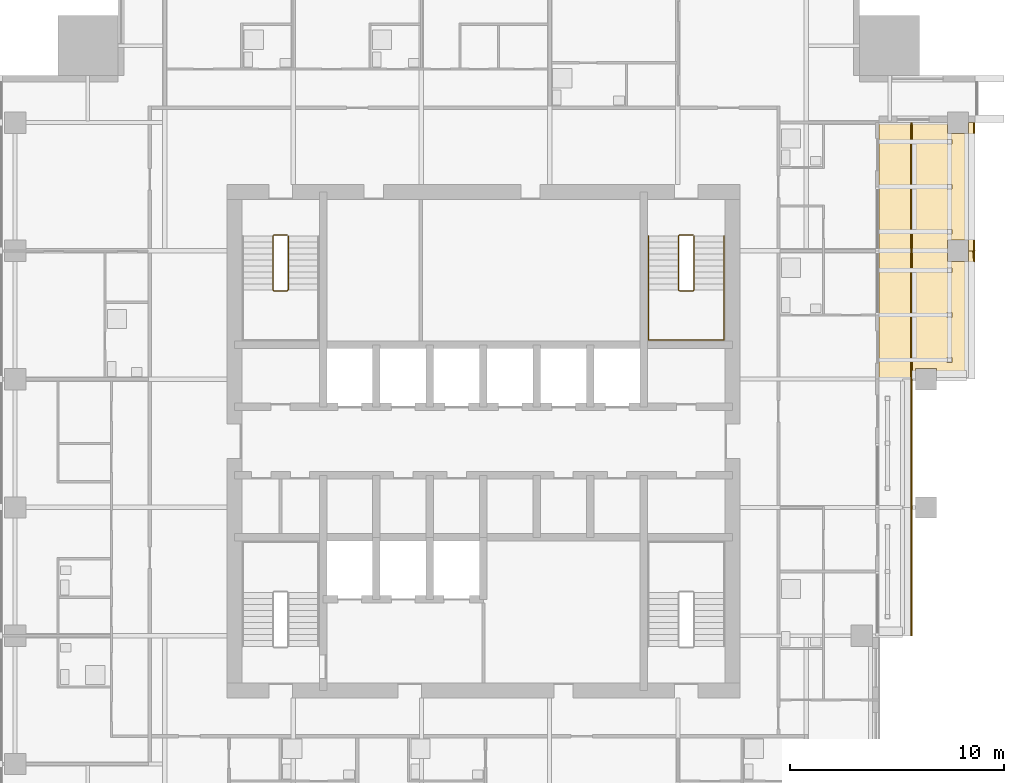
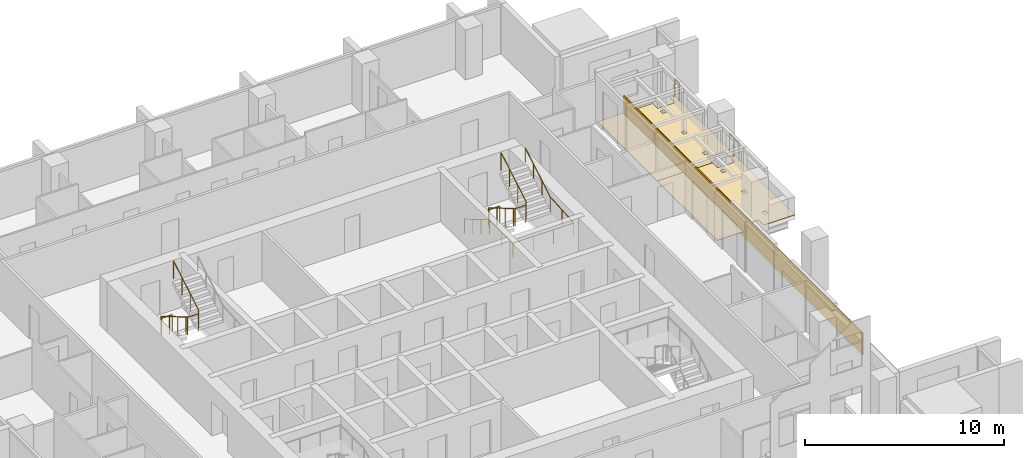
# One storey, part 15 of 16: 6 railings, 3 coverings.
"""IFC4 building model written with IfcOpenShell, lengths in metres."""

from ifc_helpers import new_model, si_unit, direction, frame, origin, origin_2d, place, context, subcontext, project, spatial, polyline, circle, outline, extrude, material, layer, layer_set, type_object, element, save


model = new_model("IFC4")

# Units and contexts
model_context = context("Model", 3, precision=1e-05, world=origin(), true_north=direction((0.0, 1.0)))
body_context = subcontext(model_context, "Body", "Model", "MODEL_VIEW")
ifc_project = project(units=[si_unit("LENGTHUNIT", "METRE"), si_unit("AREAUNIT", "SQUARE_METRE"), si_unit("VOLUMEUNIT", "CUBIC_METRE"), si_unit("PLANEANGLEUNIT", "RADIAN"), si_unit("MASSUNIT", "GRAM", prefix="KILO")], contexts=[model_context])

# Site, building, storey
site_placement = place(None, origin())
site = spatial("IfcSite", under=ifc_project, at=site_placement, CompositionType="ELEMENT")
building_placement = place(site_placement, origin())
building = spatial("IfcBuilding", under=site, at=building_placement, Name="Amberfall Residences", CompositionType="ELEMENT")
storey_placement = place(building_placement, frame((0.0, 0.0, 164.800048828125)))
storey = spatial("IfcBuildingStorey", under=building, at=storey_placement, Name="L44", CompositionType="ELEMENT", Elevation=164.800048828125)

# Coverings
ifc_material_1 = material(Name="Pale limestone cladding", Category="masonry")
ifc_layer_1 = layer(ifc_material_1, 0.050048828125)
ifc_layer_set_1 = layer_set([ifc_layer_1], Name="Limestone fascia 50")
covering_type_1 = type_object("IfcCoveringType", Name="Limestone fascia 50", PredefinedType="CLADDING", material=ifc_layer_set_1)
covering_1_placement = place(storey_placement, frame((0.0, 0.0, -0.25)))
element("IfcCovering", 1, at=covering_1_placement, inside=storey, type_object=covering_type_1, Name="Limestone terrace fascia L44 E1", PredefinedType="CLADDING", context=body_context, shape_type="SweptSolid", body=[
    extrude(outline(polyline([(94.5, 36.39990234375), (94.5, 60.39990234375), (94.550048828125, 60.39990234375), (94.550048828125, 36.39990234375), (94.5, 36.39990234375)])), origin(), (0.0, 0.0, 1.0), 1.349853515625),
])
ifc_material_2 = material(Name="Pale stone paving", Category="masonry")
ifc_layer_2 = layer(ifc_material_2, 0.030029296875)
ifc_layer_set_2 = layer_set([ifc_layer_2], Name="Pale stone paving 30")
covering_type_2 = type_object("IfcCoveringType", Name="Pale stone paving 30", PredefinedType="FLOORING", material=ifc_layer_set_2)
covering_2_placement = place(storey_placement, origin())
element("IfcCovering", 2, at=covering_2_placement, inside=storey, type_object=covering_type_2, Name="Pale stone paving L44 E4", PredefinedType="FLOORING", context=body_context, shape_type="SweptSolid", body=[
    extrude(outline(polyline([(97.5, 54.39990234375), (97.199951171875, 54.39990234375), (97.199951171875, 53.89990234375), (96.199951171875, 53.89990234375), (96.199951171875, 54.39990234375), (93.0, 54.39990234375), (93.0, 48.39990234375), (94.699951171875, 48.39990234375), (94.699951171875, 48.89990234375), (95.699951171875, 48.89990234375), (95.699951171875, 48.39990234375), (97.5, 48.39990234375), (97.5, 54.39990234375)]), holes=[polyline([(96.18994140625, 49.18994140625), (96.409912109375, 49.18994140625), (96.409912109375, 49.409912109375), (96.18994140625, 49.409912109375), (96.18994140625, 49.18994140625)]), polyline([(96.18994140625, 51.2900390625), (96.409912109375, 51.2900390625), (96.409912109375, 51.510009765625), (96.18994140625, 51.510009765625), (96.18994140625, 51.2900390625)]), polyline([(96.18994140625, 53.389892578125), (96.409912109375, 53.389892578125), (96.409912109375, 53.610107421875), (96.18994140625, 53.610107421875), (96.18994140625, 53.389892578125)])]), origin(), (0.0, 0.0, 1.0), 0.030029296875),
])
covering_3_placement = place(storey_placement, origin())
element("IfcCovering", 3, at=covering_3_placement, inside=storey, type_object=covering_type_2, Name="Pale stone paving L44 E5", PredefinedType="FLOORING", context=body_context, shape_type="SweptSolid", body=[
    extrude(outline(polyline([(97.5, 60.39990234375), (97.199951171875, 60.39990234375), (97.199951171875, 59.89990234375), (96.199951171875, 59.89990234375), (96.199951171875, 60.39990234375), (93.0, 60.39990234375), (93.0, 54.39990234375), (96.199951171875, 54.39990234375), (96.199951171875, 54.89990234375), (97.199951171875, 54.89990234375), (97.199951171875, 54.39990234375), (97.5, 54.39990234375), (97.5, 60.39990234375)]), holes=[polyline([(96.18994140625, 55.18994140625), (96.409912109375, 55.18994140625), (96.409912109375, 55.409912109375), (96.18994140625, 55.409912109375), (96.18994140625, 55.18994140625)]), polyline([(96.18994140625, 57.2900390625), (96.409912109375, 57.2900390625), (96.409912109375, 57.510009765625), (96.18994140625, 57.510009765625), (96.18994140625, 57.2900390625)]), polyline([(96.18994140625, 59.389892578125), (96.409912109375, 59.389892578125), (96.409912109375, 59.610107421875), (96.18994140625, 59.610107421875), (96.18994140625, 59.389892578125)])]), origin(), (0.0, 0.0, 1.0), 0.030029296875),
])

# Railings
ifc_material_3 = material(Name="Stainless steel 316", Category="steel")
railing_type_1 = type_object("IfcRailingType", Name="Stair guard 1100", PredefinedType="GUARDRAIL", material=ifc_material_3)
railing_1_placement = place(storey_placement, frame((84.300048828125, 55.14990234375, 0.0)))
element("IfcRailing", 4, at=railing_1_placement, inside=storey, type_object=railing_type_1, Name="L44 stair 3 guard", PredefinedType="GUARDRAIL", context=body_context, shape_type="SweptSolid", body=[
    extrude(circle(Radius=0.02392578125, at=origin_2d()), frame((0.0, 0.0, 1.076171875), z_axis=(-1.0, 0.0, 0.0), x_axis=(0.0, -1.0, 0.0)), (0.0, 0.0, 1.0), 0.625),
    extrude(circle(Radius=0.02392578125, at=origin_2d()), frame((-0.625, 0.0, 1.076171875), z_axis=(-0.278810427259, -0.277450376394, 0.919394384522), x_axis=(0.705375805398, -0.708833529934, 0.0)), (0.0, 0.0, 1.0), 0.179443359375),
    extrude(circle(Radius=0.02392578125, at=origin_2d()), frame((-0.675048828125, -0.0498046875, 1.2412109375), z_axis=(0.0, -0.861560626758, 0.507654692109), x_axis=(1.0, 0.0, 0.0)), (0.0, 0.0, 1.0), 2.925048828125),
    extrude(circle(Radius=0.02392578125, at=origin_2d()), frame((-0.675048828125, -2.56982421875, 2.72607421875), z_axis=(0.707106781187, -0.707106781187, 0.0), x_axis=(0.707106781187, 0.707106781187, 0.0)), (0.0, 0.0, 1.0), 0.07080078125),
    extrude(circle(Radius=0.02392578125, at=origin_2d()), frame((-0.625, -2.619873046875, 2.72607421875), z_axis=(1.0, 0.0, 0.0), x_axis=(0.0, 1.0, 0.0)), (0.0, 0.0, 1.0), 0.625),
    extrude(circle(Radius=0.02392578125, at=origin_2d()), frame((0.0, -2.619873046875, 2.72607421875), z_axis=(0.278705021027, 0.278705021027, 0.919046801044), x_axis=(-0.707106781187, 0.707106781187, 0.0)), (0.0, 0.0, 1.0), 0.1796875),
    extrude(circle(Radius=0.02392578125, at=origin_2d()), frame((0.050048828125, -2.56982421875, 2.89111328125), z_axis=(0.0, 0.86152411907, 0.507716645641), x_axis=(-1.0, 0.0, 0.0)), (0.0, 0.0, 1.0), 2.925048828125),
    extrude(circle(Radius=0.02099609375, at=origin_2d()), origin(), (0.0, 0.0, 1.0), 1.052001953125),
    extrude(circle(Radius=0.02099609375, at=origin_2d()), frame((-0.625, 0.0, 0.0)), (0.0, 0.0, 1.0), 1.052001953125),
    extrude(circle(Radius=0.02099609375, at=origin_2d()), frame((-0.675048828125, -0.0498046875, 0.1650390625)), (0.0, 0.0, 1.0), 1.052001953125),
    extrude(circle(Radius=0.02099609375, at=origin_2d()), frame((-0.675048828125, -0.889892578125, 0.659912109375)), (0.0, 0.0, 1.0), 1.052001953125),
    extrude(circle(Radius=0.02099609375, at=origin_2d()), frame((-0.675048828125, -1.729736328125, 1.155029296875)), (0.0, 0.0, 1.0), 1.052001953125),
    extrude(circle(Radius=0.02099609375, at=origin_2d()), frame((-0.675048828125, -2.56982421875, 1.64990234375)), (0.0, 0.0, 1.0), 1.052001953125),
    extrude(circle(Radius=0.02099609375, at=origin_2d()), frame((-0.625, -2.619873046875, 1.64990234375)), (0.0, 0.0, 1.0), 1.052001953125),
    extrude(circle(Radius=0.02099609375, at=origin_2d()), frame((0.0, -2.619873046875, 1.64990234375)), (0.0, 0.0, 1.0), 1.052001953125),
    extrude(circle(Radius=0.02099609375, at=origin_2d()), frame((0.050048828125, -2.56982421875, 1.81494140625)), (0.0, 0.0, 1.0), 1.052001953125),
    extrude(circle(Radius=0.02099609375, at=origin_2d()), frame((0.050048828125, -1.729736328125, 2.31005859375)), (0.0, 0.0, 1.0), 1.052001953125),
    extrude(circle(Radius=0.02099609375, at=origin_2d()), frame((0.050048828125, -0.889892578125, 2.804931640625)), (0.0, 0.0, 1.0), 1.052001953125),
    extrude(circle(Radius=0.02099609375, at=origin_2d()), frame((0.050048828125, -0.0498046875, 3.300048828125)), (0.0, 0.0, 1.0), 1.052001953125),
])
railing_2_placement = place(storey_placement, frame((65.324951171875, 55.14990234375, 0.0)))
element("IfcRailing", 5, at=railing_2_placement, inside=storey, type_object=railing_type_1, Name="L44 stair 4 guard", PredefinedType="GUARDRAIL", context=body_context, shape_type="SweptSolid", body=[
    extrude(circle(Radius=0.02392578125, at=origin_2d()), frame((0.0, 0.0, 1.076171875), z_axis=(-1.0, 0.0, 0.0), x_axis=(0.0, -1.0, 0.0)), (0.0, 0.0, 1.0), 0.625),
    extrude(circle(Radius=0.02392578125, at=origin_2d()), frame((-0.625, 0.0, 1.076171875), z_axis=(-0.278810427259, -0.277450376394, 0.919394384522), x_axis=(0.705375805398, -0.708833529934, 0.0)), (0.0, 0.0, 1.0), 0.179443359375),
    extrude(circle(Radius=0.02392578125, at=origin_2d()), frame((-0.675048828125, -0.0498046875, 1.2412109375), z_axis=(0.0, -0.861560626758, 0.507654692109), x_axis=(1.0, 0.0, 0.0)), (0.0, 0.0, 1.0), 2.925048828125),
    extrude(circle(Radius=0.02392578125, at=origin_2d()), frame((-0.675048828125, -2.56982421875, 2.72607421875), z_axis=(0.707106781187, -0.707106781187, 0.0), x_axis=(0.707106781187, 0.707106781187, 0.0)), (0.0, 0.0, 1.0), 0.07080078125),
    extrude(circle(Radius=0.02392578125, at=origin_2d()), frame((-0.625, -2.619873046875, 2.72607421875), z_axis=(1.0, 0.0, 0.0), x_axis=(0.0, 1.0, 0.0)), (0.0, 0.0, 1.0), 0.625),
    extrude(circle(Radius=0.02392578125, at=origin_2d()), frame((0.0, -2.619873046875, 2.72607421875), z_axis=(0.278705021027, 0.278705021027, 0.919046801044), x_axis=(-0.707106781187, 0.707106781187, 0.0)), (0.0, 0.0, 1.0), 0.1796875),
    extrude(circle(Radius=0.02392578125, at=origin_2d()), frame((0.050048828125, -2.56982421875, 2.89111328125), z_axis=(0.0, 0.86152411907, 0.507716645641), x_axis=(-1.0, 0.0, 0.0)), (0.0, 0.0, 1.0), 2.925048828125),
    extrude(circle(Radius=0.02099609375, at=origin_2d()), origin(), (0.0, 0.0, 1.0), 1.052001953125),
    extrude(circle(Radius=0.02099609375, at=origin_2d()), frame((-0.625, 0.0, 0.0)), (0.0, 0.0, 1.0), 1.052001953125),
    extrude(circle(Radius=0.02099609375, at=origin_2d()), frame((-0.675048828125, -0.0498046875, 0.1650390625)), (0.0, 0.0, 1.0), 1.052001953125),
    extrude(circle(Radius=0.02099609375, at=origin_2d()), frame((-0.675048828125, -0.889892578125, 0.659912109375)), (0.0, 0.0, 1.0), 1.052001953125),
    extrude(circle(Radius=0.02099609375, at=origin_2d()), frame((-0.675048828125, -1.729736328125, 1.155029296875)), (0.0, 0.0, 1.0), 1.052001953125),
    extrude(circle(Radius=0.02099609375, at=origin_2d()), frame((-0.675048828125, -2.56982421875, 1.64990234375)), (0.0, 0.0, 1.0), 1.052001953125),
    extrude(circle(Radius=0.02099609375, at=origin_2d()), frame((-0.625, -2.619873046875, 1.64990234375)), (0.0, 0.0, 1.0), 1.052001953125),
    extrude(circle(Radius=0.02099609375, at=origin_2d()), frame((0.0, -2.619873046875, 1.64990234375)), (0.0, 0.0, 1.0), 1.052001953125),
    extrude(circle(Radius=0.02099609375, at=origin_2d()), frame((0.050048828125, -2.56982421875, 1.81494140625)), (0.0, 0.0, 1.0), 1.052001953125),
    extrude(circle(Radius=0.02099609375, at=origin_2d()), frame((0.050048828125, -1.729736328125, 2.31005859375)), (0.0, 0.0, 1.0), 1.052001953125),
    extrude(circle(Radius=0.02099609375, at=origin_2d()), frame((0.050048828125, -0.889892578125, 2.804931640625)), (0.0, 0.0, 1.0), 1.052001953125),
    extrude(circle(Radius=0.02099609375, at=origin_2d()), frame((0.050048828125, -0.0498046875, 3.300048828125)), (0.0, 0.0, 1.0), 1.052001953125),
])
railing_type_2 = type_object("IfcRailingType", Name="Stair handrail 900", PredefinedType="HANDRAIL", material=ifc_material_3)
railing_3_placement = place(storey_placement, frame((82.22509765625, 55.10009765625, 0.1650390625)))
element("IfcRailing", 6, at=railing_3_placement, inside=storey, type_object=railing_type_2, Name="L44 stair 3 handrail", PredefinedType="HANDRAIL", context=body_context, shape_type="SweptSolid", body=[
    extrude(circle(Radius=0.02392578125, at=origin_2d()), frame((0.0, 0.0, 0.8759765625), z_axis=(0.0, -0.861560626758, 0.507654692109), x_axis=(1.0, 0.0, 0.0)), (0.0, 0.0, 1.0), 2.925048828125),
    extrude(circle(Radius=0.02392578125, at=origin_2d()), frame((0.0, -2.52001953125, 2.36083984375), z_axis=(0.0, -1.0, 0.0), x_axis=(1.0, 0.0, 0.0)), (0.0, 0.0, 1.0), 2.35498046875),
    extrude(circle(Radius=0.02392578125, at=origin_2d()), frame((0.0, -4.875, 2.36083984375), z_axis=(1.0, 0.0, 0.0), x_axis=(0.0, 1.0, 0.0)), (0.0, 0.0, 1.0), 3.52490234375),
    extrude(circle(Radius=0.02392578125, at=origin_2d()), frame((3.52490234375, -4.875, 2.36083984375), z_axis=(0.0, 0.997553344917, 0.069909398835), x_axis=(-1.0, 0.0, 0.0)), (0.0, 0.0, 1.0), 2.36083984375),
    extrude(circle(Radius=0.02392578125, at=origin_2d()), frame((3.52490234375, -2.52001953125, 2.52587890625), z_axis=(0.0, 0.86152411907, 0.507716645641), x_axis=(-1.0, 0.0, 0.0)), (0.0, 0.0, 1.0), 2.925048828125),
    extrude(circle(Radius=0.02099609375, at=origin_2d()), origin(), (0.0, 0.0, 1.0), 0.851806640625),
    extrude(circle(Radius=0.02099609375, at=origin_2d()), frame((0.0, -0.840087890625, 0.494873046875)), (0.0, 0.0, 1.0), 0.851806640625),
    extrude(circle(Radius=0.02099609375, at=origin_2d()), frame((0.0, -1.679931640625, 0.989990234375)), (0.0, 0.0, 1.0), 0.851806640625),
    extrude(circle(Radius=0.02099609375, at=origin_2d()), frame((0.0, -2.52001953125, 1.48486328125)), (0.0, 0.0, 1.0), 0.851806640625),
    extrude(circle(Radius=0.02099609375, at=origin_2d()), frame((0.0, -3.697509765625, 1.48486328125)), (0.0, 0.0, 1.0), 0.851806640625),
    extrude(circle(Radius=0.02099609375, at=origin_2d()), frame((0.0, -4.875, 1.48486328125)), (0.0, 0.0, 1.0), 0.851806640625),
    extrude(circle(Radius=0.02099609375, at=origin_2d()), frame((1.175048828125, -4.875, 1.48486328125)), (0.0, 0.0, 1.0), 0.851806640625),
    extrude(circle(Radius=0.02099609375, at=origin_2d()), frame((2.349853515625, -4.875, 1.48486328125)), (0.0, 0.0, 1.0), 0.851806640625),
    extrude(circle(Radius=0.02099609375, at=origin_2d()), frame((3.52490234375, -4.875, 1.48486328125)), (0.0, 0.0, 1.0), 0.851806640625),
    extrude(circle(Radius=0.02099609375, at=origin_2d()), frame((3.52490234375, -3.697509765625, 1.5673828125)), (0.0, 0.0, 1.0), 0.851806640625),
    extrude(circle(Radius=0.02099609375, at=origin_2d()), frame((3.52490234375, -2.52001953125, 1.64990234375)), (0.0, 0.0, 1.0), 0.851806640625),
    extrude(circle(Radius=0.02099609375, at=origin_2d()), frame((3.52490234375, -1.679931640625, 2.14501953125)), (0.0, 0.0, 1.0), 0.851806640625),
    extrude(circle(Radius=0.02099609375, at=origin_2d()), frame((3.52490234375, -0.840087890625, 2.639892578125)), (0.0, 0.0, 1.0), 0.851806640625),
    extrude(circle(Radius=0.02099609375, at=origin_2d()), frame((3.52490234375, 0.0, 3.135009765625)), (0.0, 0.0, 1.0), 0.851806640625),
])
ifc_material_4 = material(Name="Bronze anodised aluminium and laminated glass", Category="aluminium")
railing_type_3 = type_object("IfcRailingType", Name="Terrace edge guard 1100", PredefinedType="GUARDRAIL", material=ifc_material_4)
railing_4_placement = place(storey_placement, frame((97.4599609375, 53.919921875, 0.030029296875)))
element("IfcRailing", 7, at=railing_4_placement, inside=storey, type_object=railing_type_3, Name="Terrace guard L44 E4", PredefinedType="GUARDRAIL", context=body_context, shape_type="SweptSolid", body=[
    extrude(circle(Radius=0.02392578125, at=origin_2d()), frame((0.0, 0.0, 1.076171875), z_axis=(-0.09058554806, 0.995888677756, 0.0), x_axis=(-0.995888677756, -0.09058554806, 0.0)), (0.0, 0.0, 1.0), 0.44189453125),
    extrude(circle(Radius=0.02099609375, at=origin_2d()), origin(), (0.0, 0.0, 1.0), 1.052001953125),
    extrude(circle(Radius=0.02099609375, at=origin_2d()), frame((-0.0400390625, 0.440185546875, 0.0)), (0.0, 0.0, 1.0), 1.052001953125),
])
railing_5_placement = place(storey_placement, frame((97.469970703125, 54.43994140625, 0.030029296875)))
element("IfcRailing", 8, at=railing_5_placement, inside=storey, type_object=railing_type_3, Name="Terrace guard L44 E5", PredefinedType="GUARDRAIL", context=body_context, shape_type="SweptSolid", body=[
    extrude(circle(Radius=0.02392578125, at=origin_2d()), frame((0.0, 0.0, 1.076171875), z_axis=(-0.022746610298, 0.999741262387, 0.0), x_axis=(-0.999741262387, -0.022746610298, 0.0)), (0.0, 0.0, 1.0), 0.43994140625),
    extrude(circle(Radius=0.02099609375, at=origin_2d()), origin(), (0.0, 0.0, 1.0), 1.052001953125),
    extrude(circle(Radius=0.02099609375, at=origin_2d()), frame((-0.010009765625, 0.43994140625, 0.0)), (0.0, 0.0, 1.0), 1.052001953125),
])
railing_6_placement = place(storey_placement, frame((97.4599609375, 59.919921875, 0.030029296875)))
element("IfcRailing", 9, at=railing_6_placement, inside=storey, type_object=railing_type_3, Name="Terrace guard L44 E5", PredefinedType="GUARDRAIL", context=body_context, shape_type="SweptSolid", body=[
    extrude(circle(Radius=0.02392578125, at=origin_2d()), frame((0.0, 0.0, 1.076171875), z_axis=(0.007142674934, 0.999974490772, 0.0), x_axis=(-0.999974490772, 0.007142674934, 0.0)), (0.0, 0.0, 1.0), 0.4443359375),
    extrude(circle(Radius=0.02099609375, at=origin_2d()), origin(), (0.0, 0.0, 1.0), 1.052001953125),
    extrude(circle(Radius=0.02099609375, at=origin_2d()), frame((0.003173828125, 0.4443359375, 0.0)), (0.0, 0.0, 1.0), 1.052001953125),
])

save(model, "model.ifc")
